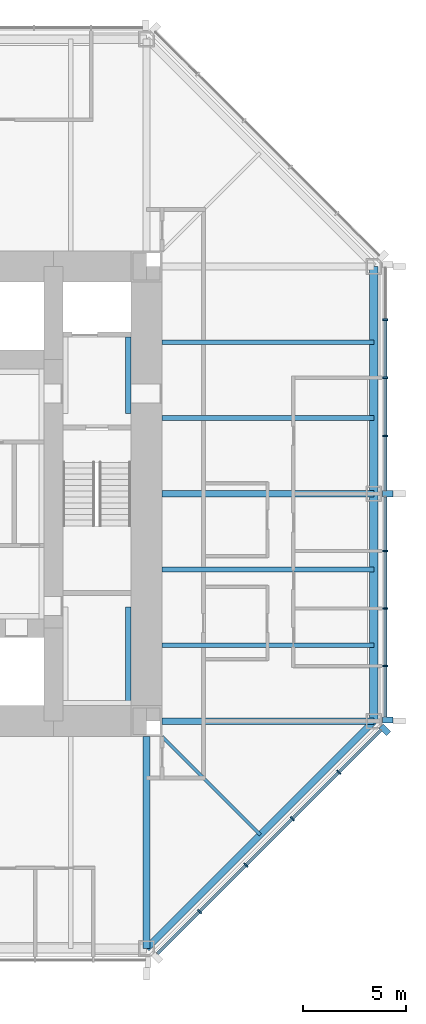
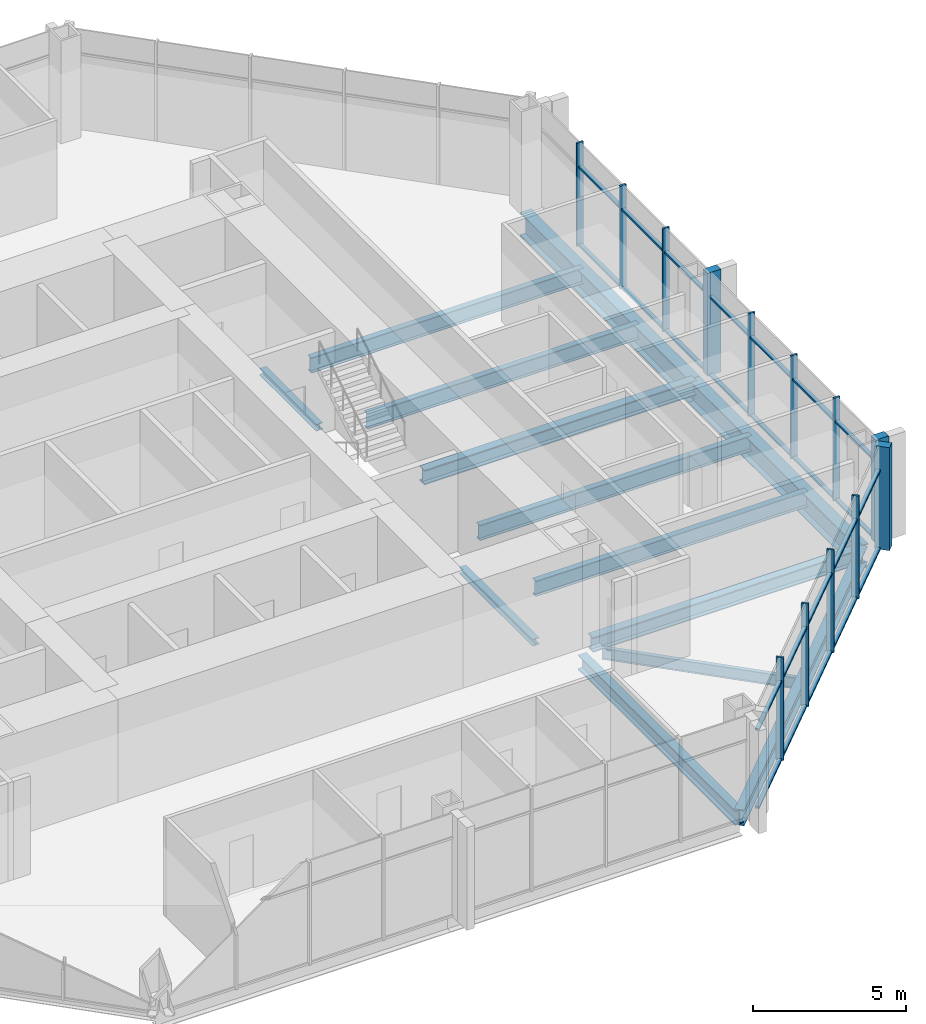
# One storey, part 4 of 12: 37 members, 13 beams, 2 elements without a shape of their own.
"""IFC4 building model written with IfcOpenShell, lengths in metres."""

import ifcopenshell
import ifcopenshell.guid

model = None  # the IFC model being written
_history = None  # IfcOwnerHistory: only IFC2X3 demands one
_inside = {}  # id of a spatial element -> (the spatial element, [elements in it])
_under = {}  # id of a project, library or spatial element -> (it, [spatial elements below it])
_declared = {}  # id of a project -> (the project, [libraries it declares])
_typed = {}  # id of a type object -> (the type object, [elements of that type])
_made_of = {}  # id of a material, layer set ... -> (it, [elements and type objects made of it])


def new_model(schema):
    """Start an empty IFC model of exactly this schema.

    Asked for "IFC4X3", IfcOpenShell would pick the latest addendum, in which some entities
    have other attributes; the version numbers below select the first issue.
    IFC2X3 requires an IfcOwnerHistory on every rooted entity: one is made here for all.
    """
    global model, _history
    if schema == "IFC4X3":
        model = ifcopenshell.file(schema_version=(4, 3, 0, 0))
    else:
        model = ifcopenshell.file(schema=schema)
    _inside.clear()
    _under.clear()
    _declared.clear()
    _typed.clear()
    _made_of.clear()
    _history = None
    if model.schema == "IFC2X3":
        org = make("IfcOrganization", Name="unknown")
        user = make(
            "IfcPersonAndOrganization",
            ThePerson=make("IfcPerson", FamilyName="unknown"),
            TheOrganization=org,
        )
        app = make(
            "IfcApplication",
            ApplicationDeveloper=org,
            Version="unknown",
            ApplicationFullName="unknown",
            ApplicationIdentifier="unknown",
        )
        _history = make(
            "IfcOwnerHistory",
            OwningUser=user,
            OwningApplication=app,
            ChangeAction="ADDED",
            CreationDate=0,
        )
    return model


def make(cls, **values):
    """One entity of the class cls with the attributes given. An attribute that is None is left unset."""
    return model.create_entity(
        cls, **{name: value for name, value in values.items() if value is not None}
    )


def rooted(cls, **values):
    """An entity with a GlobalId (a new one), such as an element, a storey or a relation."""
    return make(cls, GlobalId=ifcopenshell.guid.new(), OwnerHistory=_history, **values)


def si_unit(unit_type, name, prefix=None):
    """IfcSIUnit, for example si_unit("LENGTHUNIT", "METRE", prefix="MILLI")."""
    return make("IfcSIUnit", UnitType=unit_type, Prefix=prefix, Name=name)


def assignment(units):
    """IfcUnitAssignment: the units of a project."""
    return None if units is None else make("IfcUnitAssignment", Units=units)


def point(xyz):
    """IfcCartesianPoint."""
    return None if xyz is None else make("IfcCartesianPoint", Coordinates=xyz)


def direction(xyz):
    """IfcDirection."""
    return None if xyz is None else make("IfcDirection", DirectionRatios=xyz)


def frame(location, z_axis=None, x_axis=None):
    """IfcAxis2Placement3D, a coordinate frame: its origin and axes. An axis left out is left unset."""
    return make(
        "IfcAxis2Placement3D",
        Location=point(location),
        Axis=direction(z_axis),
        RefDirection=direction(x_axis),
    )


def frame_2d(location, x_axis=None):
    """IfcAxis2Placement2D, a coordinate frame in the plane: its origin and x axis."""
    return make(
        "IfcAxis2Placement2D", Location=point(location), RefDirection=direction(x_axis)
    )


def origin():
    """The frame at (0, 0, 0) with its axes left unset."""
    return frame((0.0, 0.0, 0.0))


def origin_2d():
    """The frame at (0, 0) in the plane with its x axis left unset."""
    return frame_2d((0.0, 0.0))


def place(relative_to, where):
    """IfcLocalPlacement: puts the frame where relative to a parent placement (None: the world)."""
    return make(
        "IfcLocalPlacement", PlacementRelTo=relative_to, RelativePlacement=where
    )


def context(
    kind, dimensions, precision=None, world=None, true_north=None, identifier=None
):
    """IfcGeometricRepresentationContext, for example the 3D "Model" context."""
    return make(
        "IfcGeometricRepresentationContext",
        ContextIdentifier=identifier,
        ContextType=kind,
        CoordinateSpaceDimension=dimensions,
        Precision=precision,
        WorldCoordinateSystem=world,
        TrueNorth=true_north,
    )


def subcontext(parent, identifier, kind, view, scale=None):
    """IfcGeometricRepresentationSubContext, for example "Body" below "Model"."""
    return make(
        "IfcGeometricRepresentationSubContext",
        ContextIdentifier=identifier,
        ContextType=kind,
        ParentContext=parent,
        TargetScale=scale,
        TargetView=view,
    )


def project(units=None, contexts=None):
    """IfcProject with its units and contexts."""
    return rooted(
        "IfcProject",
        Name="project",
        RepresentationContexts=contexts,
        UnitsInContext=assignment(units),
    )


def spatial(cls, under=None, at=None, **own):
    """A site, building, storey or space (cls), placed at a placement, below another one or the project."""
    s = rooted(cls, ObjectPlacement=at, **own)
    if under is not None:
        _under.setdefault(under.id(), (under, []))[1].append(s)
    return s


def profile(cls, at=None, kind="AREA", **sizes):
    """A parametric profile (cls). Its sizes go by their IFC names, for example OverallWidth=200.0."""
    return make(cls, ProfileType=kind, Position=at, **sizes)


def rectangle(**sizes):
    """IfcRectangleProfileDef."""
    return profile("IfcRectangleProfileDef", **sizes)


def i_section(**sizes):
    """IfcIShapeProfileDef."""
    return profile("IfcIShapeProfileDef", **sizes)


def extrude(swept, where, along, depth):
    """IfcExtrudedAreaSolid: the profile swept, set in the frame where, extruded along a direction by depth."""
    return make(
        "IfcExtrudedAreaSolid",
        SweptArea=swept,
        Position=where,
        ExtrudedDirection=direction(along),
        Depth=depth,
    )


def shape(context_of_items, identifier, shape_type, items):
    """IfcShapeRepresentation: the items that make up one representation, for example the "Body"."""
    return make(
        "IfcShapeRepresentation",
        ContextOfItems=context_of_items,
        RepresentationIdentifier=identifier,
        RepresentationType=shape_type,
        Items=items,
    )


def material(Name=None, Category=None):
    """IfcMaterial."""
    return make("IfcMaterial", Name=Name, Category=Category)


def material_profile(
    of_material, cross_section, Name=None, Category=None, Priority=None
):
    """IfcMaterialProfile: a cross section and its material."""
    return make(
        "IfcMaterialProfile",
        Name=Name,
        Material=of_material,
        Profile=cross_section,
        Priority=Priority,
        Category=Category,
    )


def profile_set(profiles, Name=None, composite=None):
    """IfcMaterialProfileSet."""
    return make(
        "IfcMaterialProfileSet",
        Name=Name,
        MaterialProfiles=profiles,
        CompositeProfile=composite,
    )


def made_of(thing, what):
    """Note that an element or type object is made of a material, layer set ...; save() writes the relation."""
    if what is not None:
        _made_of.setdefault(what.id(), (what, []))[1].append(thing)
    return thing


def type_object(cls, material=None, **own):
    """A type object (cls), such as IfcWallType, which elements share."""
    return made_of(rooted(cls, **own), material)


def element(
    cls,
    number,
    at=None,
    inside=None,
    cuts=None,
    type_object=None,
    material=None,
    context=None,
    identifier="Body",
    shape_type=None,
    held_by="IfcProductDefinitionShape",
    body=None,
    shapes=None,
    **own,
):
    """One element of the class cls, such as IfcWall. Its Tag is "e" and its number.

    at: its placement. inside: the storey or other place that contains it. cuts: it is an
    opening in that element (IfcRelVoidsElement). A single representation is given by context,
    identifier, shape_type and body (its items); several are given by shapes. held_by: the class
    of the entity that holds the representations. save() writes the other relations.
    """
    e = rooted(cls, Tag="e%d" % number, ObjectPlacement=at, **own)
    if body is not None:
        shapes = [shape(context, identifier, shape_type, body)]
    if shapes is not None:
        e.Representation = make(held_by, Representations=shapes)
    if inside is not None:
        _inside.setdefault(inside.id(), (inside, []))[1].append(e)
    if cuts is not None:
        rooted(
            "IfcRelVoidsElement", RelatingBuildingElement=cuts, RelatedOpeningElement=e
        )
    if type_object is not None:
        _typed.setdefault(type_object.id(), (type_object, []))[1].append(e)
    return made_of(e, material)


def aggregate(whole, parts):
    """IfcRelAggregates: a whole, such as a stair, and the parts it consists of."""
    return rooted("IfcRelAggregates", RelatingObject=whole, RelatedObjects=parts)


def save(model, path):
    """Write the relations noted so far, then the file.

    IfcRelAggregates (storeys below a building ...), IfcRelContainedInSpatialStructure (elements
    in a storey), IfcRelDefinesByType, IfcRelAssociatesMaterial and IfcRelDeclares: one each for
    every whole, place, type object, material and project.
    """
    for whole, parts in _under.values():
        aggregate(whole, parts)
    for where, things in _inside.values():
        rooted(
            "IfcRelContainedInSpatialStructure",
            RelatedElements=things,
            RelatingStructure=where,
        )
    for kind, things in _typed.values():
        rooted("IfcRelDefinesByType", RelatedObjects=things, RelatingType=kind)
    for what, things in _made_of.values():
        rooted("IfcRelAssociatesMaterial", RelatedObjects=things, RelatingMaterial=what)
    for by, libraries in _declared.values():
        rooted("IfcRelDeclares", RelatingContext=by, RelatedDefinitions=libraries)
    model.write(path)


model = new_model("IFC4")

# Units and contexts
model_context = context("Model", 3, precision=1e-05, world=origin(), true_north=direction((0.0, 1.0)))
body_context = subcontext(model_context, "Body", "Model", "MODEL_VIEW")
ifc_project = project(units=[si_unit("LENGTHUNIT", "METRE"), si_unit("AREAUNIT", "SQUARE_METRE"), si_unit("VOLUMEUNIT", "CUBIC_METRE"), si_unit("PLANEANGLEUNIT", "RADIAN"), si_unit("MASSUNIT", "GRAM", prefix="KILO")], contexts=[model_context])

# Site, building, storey
site_placement = place(None, origin())
site = spatial("IfcSite", under=ifc_project, at=site_placement, CompositionType="ELEMENT")
building_placement = place(site_placement, origin())
building = spatial("IfcBuilding", under=site, at=building_placement, Name="Trevanion Tower", CompositionType="ELEMENT")
storey_placement = place(building_placement, frame((0.0, 0.0, 141.800048828125)))
storey = spatial("IfcBuildingStorey", under=building, at=storey_placement, Name="L33", CompositionType="ELEMENT", Elevation=141.800048828125)

# Beams
ifc_material_1 = material(Name="Steel ASTM A992 Grade 50", Category="steel")
ifc_material_profile_1 = material_profile(ifc_material_1, i_section(OverallWidth=0.22900390625, OverallDepth=0.612060546875, WebThickness=0.011962890625, FlangeThickness=0.01953125, at=origin_2d()), Name="W24X84")
ifc_profile_set_1 = profile_set([ifc_material_profile_1], Name="Steel ASTM A992 Grade 50")
beam_type_1 = type_object("IfcBeamType", Name="B7 W24X84", PredefinedType="BEAM", material=ifc_profile_set_1)
for number, where, z_axis, x_axis, name in (
    (1, (11.75, -7.333251953125, -0.49609375), (1.0, 0.0, 0.0), (0.0, 1.0, 0.0), "B7 L33"),
    (2, (11.75, -3.666748046875, -0.49609375), (1.0, 0.0, 0.0), (0.0, 1.0, 0.0), "B7 L33"),
    (3, (11.75, 3.666748046875, -0.49609375), (1.0, 0.0, 0.0), (0.0, 1.0, 0.0), "B7 L33"),
    (4, (11.75, 7.333251953125, -0.49609375), (1.0, 0.0, 0.0), (0.0, 1.0, 0.0), "B7 L33"),
):
    element("IfcBeam", number, at=place(storey_placement, frame(where, z_axis=z_axis, x_axis=x_axis)), inside=storey, type_object=beam_type_1, Name=name, PredefinedType="BEAM", context=body_context, shape_type="SweptSolid", body=[
        extrude(i_section(OverallWidth=0.22900390625, OverallDepth=0.612060546875, WebThickness=0.011962890625, FlangeThickness=0.01953125, at=origin_2d()), origin(), (0.0, 0.0, 1.0), 10.25),
    ])
ifc_material_2 = material(Name="Steel ASTM A992 Grade 50", Category="steel")
ifc_material_profile_2 = material_profile(ifc_material_2, i_section(OverallWidth=0.15234375, OverallDepth=0.449462890625, WebThickness=0.007568359375, FlangeThickness=0.0107421875, at=origin_2d()), Name="W18X35")
ifc_profile_set_2 = profile_set([ifc_material_profile_2], Name="Steel ASTM A992 Grade 50")
beam_type_2 = type_object("IfcBeamType", Name="B8 W18X35", PredefinedType="BEAM", material=ifc_profile_set_2)
beam_1_placement = place(storey_placement, frame((11.75, -11.75, -0.414794921875), z_axis=(0.707106781187, -0.707106781187, 0.0), x_axis=(0.707106781187, 0.707106781187, 0.0)))
element("IfcBeam", 5, at=beam_1_placement, inside=storey, type_object=beam_type_2, Name="B8 L33", PredefinedType="BEAM", context=body_context, shape_type="SweptSolid", body=[
    extrude(i_section(OverallWidth=0.15234375, OverallDepth=0.449462890625, WebThickness=0.007568359375, FlangeThickness=0.0107421875, at=origin_2d()), origin(), (0.0, 0.0, 1.0), 6.717529296875),
])

# Curtain wall, members
ifc_material_3 = material(Name="Aluminium and glass", Category="aluminium")
curtain_wall_type = type_object("IfcCurtainWallType", Name="CW2 curtain wall", PredefinedType="USERDEFINED", material=ifc_material_3)
curtain_wall_1_placement = place(storey_placement, origin())
curtain_wall_1 = element("IfcCurtainWall", 6, at=curtain_wall_1_placement, inside=storey, type_object=curtain_wall_type, Name="CW2 L33 0", ObjectType="UNITISED CURTAIN WALL", PredefinedType="USERDEFINED")
ifc_material_4 = material(Name="Aluminium extrusion, anodised bronze", Category="aluminium")
ifc_material_profile_3 = material_profile(ifc_material_4, rectangle(XDim=0.074951171875, YDim=0.25, at=origin_2d()), Name="CW2 mullion")
ifc_profile_set_3 = profile_set([ifc_material_profile_3], Name="Aluminium extrusion, anodised bronze")
member_type_1 = type_object("IfcMemberType", Name="CW2 mullion", PredefinedType="MULLION", material=ifc_profile_set_3)
member_1_placement = place(storey_placement, frame((22.550048828125, -8.323486328125, -0.18994140625), z_axis=(0.0, 0.0, 1.0), x_axis=(0.0, 1.0, 0.0)))
member_1 = element("IfcMember", 7, at=member_1_placement, type_object=member_type_1, Name="CW2 mullion 2", PredefinedType="MULLION", context=body_context, shape_type="SweptSolid", body=[
    extrude(rectangle(XDim=0.074951171875, YDim=0.25, at=origin_2d()), origin(), (0.0, 0.0, 1.0), 4.099853515625),
])
member_2_placement = place(storey_placement, frame((22.550048828125, -5.548828125, -0.18994140625), z_axis=(0.0, 0.0, 1.0), x_axis=(0.0, 1.0, 0.0)))
member_2 = element("IfcMember", 8, at=member_2_placement, type_object=member_type_1, Name="CW2 mullion 3", PredefinedType="MULLION", context=body_context, shape_type="SweptSolid", body=[
    extrude(rectangle(XDim=0.074951171875, YDim=0.25, at=origin_2d()), origin(), (0.0, 0.0, 1.0), 4.099853515625),
])
member_3_placement = place(storey_placement, frame((22.550048828125, -2.7744140625, -0.18994140625), z_axis=(0.0, 0.0, 1.0), x_axis=(0.0, 1.0, 0.0)))
member_3 = element("IfcMember", 9, at=member_3_placement, type_object=member_type_1, Name="CW2 mullion 4", PredefinedType="MULLION", context=body_context, shape_type="SweptSolid", body=[
    extrude(rectangle(XDim=0.074951171875, YDim=0.25, at=origin_2d()), origin(), (0.0, 0.0, 1.0), 4.099853515625),
])
member_4_placement = place(storey_placement, frame((22.550048828125, 2.806884765625, -0.18994140625), z_axis=(0.0, 0.0, 1.0), x_axis=(0.0, 1.0, 0.0)))
member_4 = element("IfcMember", 10, at=member_4_placement, type_object=member_type_1, Name="CW2 mullion 6", PredefinedType="MULLION", context=body_context, shape_type="SweptSolid", body=[
    extrude(rectangle(XDim=0.074951171875, YDim=0.25, at=origin_2d()), origin(), (0.0, 0.0, 1.0), 4.099853515625),
])
member_5_placement = place(storey_placement, frame((22.550048828125, 5.614013671875, -0.18994140625), z_axis=(0.0, 0.0, 1.0), x_axis=(0.0, 1.0, 0.0)))
member_5 = element("IfcMember", 11, at=member_5_placement, type_object=member_type_1, Name="CW2 mullion 7", PredefinedType="MULLION", context=body_context, shape_type="SweptSolid", body=[
    extrude(rectangle(XDim=0.074951171875, YDim=0.25, at=origin_2d()), origin(), (0.0, 0.0, 1.0), 4.099853515625),
])
member_6_placement = place(storey_placement, frame((22.550048828125, 8.4208984375, -0.18994140625), z_axis=(0.0, 0.0, 1.0), x_axis=(0.0, 1.0, 0.0)))
member_6 = element("IfcMember", 12, at=member_6_placement, type_object=member_type_1, Name="CW2 mullion 8", PredefinedType="MULLION", context=body_context, shape_type="SweptSolid", body=[
    extrude(rectangle(XDim=0.074951171875, YDim=0.25, at=origin_2d()), origin(), (0.0, 0.0, 1.0), 4.099853515625),
])

curtain_wall_2_placement = place(storey_placement, origin())
curtain_wall_2 = element("IfcCurtainWall", 13, at=curtain_wall_2_placement, inside=storey, type_object=curtain_wall_type, Name="CW2 L33 7", ObjectType="UNITISED CURTAIN WALL", PredefinedType="USERDEFINED")
member_7_placement = place(storey_placement, frame((13.56591796875, -20.2119140625, -0.18994140625), z_axis=(0.0, 0.0, 1.0), x_axis=(0.707106781187, 0.707106781187, 0.0)))
member_7 = element("IfcMember", 14, at=member_7_placement, type_object=member_type_1, Name="CW2 mullion 2", PredefinedType="MULLION", context=body_context, shape_type="SweptSolid", body=[
    extrude(rectangle(XDim=0.074951171875, YDim=0.25, at=origin_2d()), origin(), (0.0, 0.0, 1.0), 4.099853515625),
])
member_8_placement = place(storey_placement, frame((15.811767578125, -17.966064453125, -0.18994140625), z_axis=(0.0, 0.0, 1.0), x_axis=(0.707106781187, 0.707106781187, 0.0)))
member_8 = element("IfcMember", 15, at=member_8_placement, type_object=member_type_1, Name="CW2 mullion 3", PredefinedType="MULLION", context=body_context, shape_type="SweptSolid", body=[
    extrude(rectangle(XDim=0.074951171875, YDim=0.25, at=origin_2d()), origin(), (0.0, 0.0, 1.0), 4.099853515625),
])
member_9_placement = place(storey_placement, frame((18.057861328125, -15.719970703125, -0.18994140625), z_axis=(0.0, 0.0, 1.0), x_axis=(0.707106781187, 0.707106781187, 0.0)))
member_9 = element("IfcMember", 16, at=member_9_placement, type_object=member_type_1, Name="CW2 mullion 4", PredefinedType="MULLION", context=body_context, shape_type="SweptSolid", body=[
    extrude(rectangle(XDim=0.074951171875, YDim=0.25, at=origin_2d()), origin(), (0.0, 0.0, 1.0), 4.099853515625),
])
member_10_placement = place(storey_placement, frame((20.303955078125, -13.473876953125, -0.18994140625), z_axis=(0.0, 0.0, 1.0), x_axis=(0.707106781187, 0.707106781187, 0.0)))
member_10 = element("IfcMember", 17, at=member_10_placement, type_object=member_type_1, Name="CW2 mullion 5", PredefinedType="MULLION", context=body_context, shape_type="SweptSolid", body=[
    extrude(rectangle(XDim=0.074951171875, YDim=0.25, at=origin_2d()), origin(), (0.0, 0.0, 1.0), 4.099853515625),
])

# Member
ifc_material_5 = material(Name="Aluminium extrusion, anodised bronze", Category="aluminium")
ifc_material_profile_4 = material_profile(ifc_material_5, rectangle(XDim=0.300048828125, YDim=0.5, at=origin_2d()), Name="CW2 pier mullion")
ifc_profile_set_4 = profile_set([ifc_material_profile_4], Name="Aluminium extrusion, anodised bronze")
member_type_2 = type_object("IfcMemberType", Name="CW2 pier mullion", PredefinedType="MULLION", material=ifc_profile_set_4)
member_11_placement = place(storey_placement, frame((22.675048828125, -10.94775390625, -0.18994140625), z_axis=(0.0, 0.0, 1.0), x_axis=(0.0, 1.0, 0.0)))
member_11 = element("IfcMember", 18, at=member_11_placement, type_object=member_type_2, Name="CW2 pier mullion 1", PredefinedType="MULLION", context=body_context, shape_type="SweptSolid", body=[
    extrude(rectangle(XDim=0.300048828125, YDim=0.5, at=origin_2d()), origin(), (0.0, 0.0, 1.0), 4.099853515625),
])

member_12_placement = place(storey_placement, frame((22.675048828125, 0.0, -0.18994140625), z_axis=(0.0, 0.0, 1.0), x_axis=(0.0, 1.0, 0.0)))
member_12 = element("IfcMember", 19, at=member_12_placement, type_object=member_type_2, Name="CW2 pier mullion 5", PredefinedType="MULLION", context=body_context, shape_type="SweptSolid", body=[
    extrude(rectangle(XDim=0.300048828125, YDim=0.5, at=origin_2d()), origin(), (0.0, 0.0, 1.0), 4.099853515625),
])

member_13_placement = place(storey_placement, frame((22.5322265625, -11.42236328125, -0.18994140625), z_axis=(0.0, 0.0, 1.0), x_axis=(0.707106781187, 0.707106781187, 0.0)))
member_13 = element("IfcMember", 20, at=member_13_placement, type_object=member_type_2, Name="CW2 pier mullion 6", PredefinedType="MULLION", context=body_context, shape_type="SweptSolid", body=[
    extrude(rectangle(XDim=0.300048828125, YDim=0.5, at=origin_2d()), origin(), (0.0, 0.0, 1.0), 4.099853515625),
])

ifc_material_6 = material(Name="Aluminium extrusion, anodised bronze", Category="aluminium")
ifc_material_profile_5 = material_profile(ifc_material_6, rectangle(XDim=0.14990234375, YDim=0.074951171875, at=origin_2d()), Name="CW2 transom")
ifc_profile_set_5 = profile_set([ifc_material_profile_5], Name="Aluminium extrusion, anodised bronze")
member_type_3 = type_object("IfcMemberType", Name="CW2 transom", PredefinedType="USERDEFINED", material=ifc_profile_set_5)
member_14_placement = place(storey_placement, frame((22.550048828125, -10.7978515625, -0.152587890625), z_axis=(0.0, 1.0, 0.0), x_axis=(-1.0, 0.0, 0.0)))
member_14 = element("IfcMember", 21, at=member_14_placement, type_object=member_type_3, Name="CW2 transom 1.1", ObjectType="TRANSOM", PredefinedType="USERDEFINED", context=body_context, shape_type="SweptSolid", body=[
    extrude(rectangle(XDim=0.14990234375, YDim=0.074951171875, at=origin_2d()), origin(), (0.0, 0.0, 1.0), 2.43701171875),
])

member_15_placement = place(storey_placement, frame((22.550048828125, -10.7978515625, 2.9599609375), z_axis=(0.0, 1.0, 0.0), x_axis=(-1.0, 0.0, 0.0)))
member_15 = element("IfcMember", 22, at=member_15_placement, type_object=member_type_3, Name="CW2 transom 1.2", ObjectType="TRANSOM", PredefinedType="USERDEFINED", context=body_context, shape_type="SweptSolid", body=[
    extrude(rectangle(XDim=0.14990234375, YDim=0.074951171875, at=origin_2d()), origin(), (0.0, 0.0, 1.0), 2.43701171875),
])

member_16_placement = place(storey_placement, frame((22.550048828125, -8.285888671875, -0.152587890625), z_axis=(0.0, 1.0, 0.0), x_axis=(-1.0, 0.0, 0.0)))
member_16 = element("IfcMember", 23, at=member_16_placement, type_object=member_type_3, Name="CW2 transom 2.1", ObjectType="TRANSOM", PredefinedType="USERDEFINED", context=body_context, shape_type="SweptSolid", body=[
    extrude(rectangle(XDim=0.14990234375, YDim=0.074951171875, at=origin_2d()), origin(), (0.0, 0.0, 1.0), 2.699462890625),
])

member_17_placement = place(storey_placement, frame((22.550048828125, -8.285888671875, 2.9599609375), z_axis=(0.0, 1.0, 0.0), x_axis=(-1.0, 0.0, 0.0)))
member_17 = element("IfcMember", 24, at=member_17_placement, type_object=member_type_3, Name="CW2 transom 2.2", ObjectType="TRANSOM", PredefinedType="USERDEFINED", context=body_context, shape_type="SweptSolid", body=[
    extrude(rectangle(XDim=0.14990234375, YDim=0.074951171875, at=origin_2d()), origin(), (0.0, 0.0, 1.0), 2.699462890625),
])

member_18_placement = place(storey_placement, frame((22.550048828125, -5.511474609375, -0.152587890625), z_axis=(0.0, 1.0, 0.0), x_axis=(-1.0, 0.0, 0.0)))
member_18 = element("IfcMember", 25, at=member_18_placement, type_object=member_type_3, Name="CW2 transom 3.1", ObjectType="TRANSOM", PredefinedType="USERDEFINED", context=body_context, shape_type="SweptSolid", body=[
    extrude(rectangle(XDim=0.14990234375, YDim=0.074951171875, at=origin_2d()), origin(), (0.0, 0.0, 1.0), 2.699462890625),
])

member_19_placement = place(storey_placement, frame((22.550048828125, -5.511474609375, 2.9599609375), z_axis=(0.0, 1.0, 0.0), x_axis=(-1.0, 0.0, 0.0)))
member_19 = element("IfcMember", 26, at=member_19_placement, type_object=member_type_3, Name="CW2 transom 3.2", ObjectType="TRANSOM", PredefinedType="USERDEFINED", context=body_context, shape_type="SweptSolid", body=[
    extrude(rectangle(XDim=0.14990234375, YDim=0.074951171875, at=origin_2d()), origin(), (0.0, 0.0, 1.0), 2.699462890625),
])

member_20_placement = place(storey_placement, frame((22.550048828125, -2.737060546875, -0.152587890625), z_axis=(0.0, 1.0, 0.0), x_axis=(-1.0, 0.0, 0.0)))
member_20 = element("IfcMember", 27, at=member_20_placement, type_object=member_type_3, Name="CW2 transom 4.1", ObjectType="TRANSOM", PredefinedType="USERDEFINED", context=body_context, shape_type="SweptSolid", body=[
    extrude(rectangle(XDim=0.14990234375, YDim=0.074951171875, at=origin_2d()), origin(), (0.0, 0.0, 1.0), 2.587158203125),
])

member_21_placement = place(storey_placement, frame((22.550048828125, -2.737060546875, 2.9599609375), z_axis=(0.0, 1.0, 0.0), x_axis=(-1.0, 0.0, 0.0)))
member_21 = element("IfcMember", 28, at=member_21_placement, type_object=member_type_3, Name="CW2 transom 4.2", ObjectType="TRANSOM", PredefinedType="USERDEFINED", context=body_context, shape_type="SweptSolid", body=[
    extrude(rectangle(XDim=0.14990234375, YDim=0.074951171875, at=origin_2d()), origin(), (0.0, 0.0, 1.0), 2.587158203125),
])

member_22_placement = place(storey_placement, frame((22.550048828125, 0.14990234375, -0.152587890625), z_axis=(0.0, 1.0, 0.0), x_axis=(-1.0, 0.0, 0.0)))
member_22 = element("IfcMember", 29, at=member_22_placement, type_object=member_type_3, Name="CW2 transom 5.1", ObjectType="TRANSOM", PredefinedType="USERDEFINED", context=body_context, shape_type="SweptSolid", body=[
    extrude(rectangle(XDim=0.14990234375, YDim=0.074951171875, at=origin_2d()), origin(), (0.0, 0.0, 1.0), 2.619384765625),
])

member_23_placement = place(storey_placement, frame((22.550048828125, 0.14990234375, 2.9599609375), z_axis=(0.0, 1.0, 0.0), x_axis=(-1.0, 0.0, 0.0)))
member_23 = element("IfcMember", 30, at=member_23_placement, type_object=member_type_3, Name="CW2 transom 5.2", ObjectType="TRANSOM", PredefinedType="USERDEFINED", context=body_context, shape_type="SweptSolid", body=[
    extrude(rectangle(XDim=0.14990234375, YDim=0.074951171875, at=origin_2d()), origin(), (0.0, 0.0, 1.0), 2.619384765625),
])

member_24_placement = place(storey_placement, frame((22.550048828125, 2.844482421875, -0.152587890625), z_axis=(0.0, 1.0, 0.0), x_axis=(-1.0, 0.0, 0.0)))
member_24 = element("IfcMember", 31, at=member_24_placement, type_object=member_type_3, Name="CW2 transom 6.1", ObjectType="TRANSOM", PredefinedType="USERDEFINED", context=body_context, shape_type="SweptSolid", body=[
    extrude(rectangle(XDim=0.14990234375, YDim=0.074951171875, at=origin_2d()), origin(), (0.0, 0.0, 1.0), 2.73193359375),
])

member_25_placement = place(storey_placement, frame((22.550048828125, 2.844482421875, 2.9599609375), z_axis=(0.0, 1.0, 0.0), x_axis=(-1.0, 0.0, 0.0)))
member_25 = element("IfcMember", 32, at=member_25_placement, type_object=member_type_3, Name="CW2 transom 6.2", ObjectType="TRANSOM", PredefinedType="USERDEFINED", context=body_context, shape_type="SweptSolid", body=[
    extrude(rectangle(XDim=0.14990234375, YDim=0.074951171875, at=origin_2d()), origin(), (0.0, 0.0, 1.0), 2.73193359375),
])

member_26_placement = place(storey_placement, frame((22.550048828125, 5.6513671875, -0.152587890625), z_axis=(0.0, 1.0, 0.0), x_axis=(-1.0, 0.0, 0.0)))
member_26 = element("IfcMember", 33, at=member_26_placement, type_object=member_type_3, Name="CW2 transom 7.1", ObjectType="TRANSOM", PredefinedType="USERDEFINED", context=body_context, shape_type="SweptSolid", body=[
    extrude(rectangle(XDim=0.14990234375, YDim=0.074951171875, at=origin_2d()), origin(), (0.0, 0.0, 1.0), 2.73193359375),
])

member_27_placement = place(storey_placement, frame((22.550048828125, 5.6513671875, 2.9599609375), z_axis=(0.0, 1.0, 0.0), x_axis=(-1.0, 0.0, 0.0)))
member_27 = element("IfcMember", 34, at=member_27_placement, type_object=member_type_3, Name="CW2 transom 7.2", ObjectType="TRANSOM", PredefinedType="USERDEFINED", context=body_context, shape_type="SweptSolid", body=[
    extrude(rectangle(XDim=0.14990234375, YDim=0.074951171875, at=origin_2d()), origin(), (0.0, 0.0, 1.0), 2.73193359375),
])

aggregate(curtain_wall_1, [member_11, member_1, member_2, member_3, member_12, member_4, member_5, member_6, member_14, member_15, member_16, member_17, member_18, member_19, member_20, member_21, member_22, member_23, member_24, member_25, member_26, member_27])

member_28_placement = place(storey_placement, frame((11.531982421875, -22.245849609375, -0.152587890625), z_axis=(0.707106781187, 0.707106781187, 0.0), x_axis=(-0.707106781187, 0.707106781187, 0.0)))
member_28 = element("IfcMember", 35, at=member_28_placement, type_object=member_type_3, Name="CW2 transom 1.1", ObjectType="TRANSOM", PredefinedType="USERDEFINED", context=body_context, shape_type="SweptSolid", body=[
    extrude(rectangle(XDim=0.14990234375, YDim=0.074951171875, at=origin_2d()), origin(), (0.0, 0.0, 1.0), 2.8388671875),
])

member_29_placement = place(storey_placement, frame((11.531982421875, -22.245849609375, 2.9599609375), z_axis=(0.707106781187, 0.707106781187, 0.0), x_axis=(-0.707106781187, 0.707106781187, 0.0)))
member_29 = element("IfcMember", 36, at=member_29_placement, type_object=member_type_3, Name="CW2 transom 1.2", ObjectType="TRANSOM", PredefinedType="USERDEFINED", context=body_context, shape_type="SweptSolid", body=[
    extrude(rectangle(XDim=0.14990234375, YDim=0.074951171875, at=origin_2d()), origin(), (0.0, 0.0, 1.0), 2.8388671875),
])

member_30_placement = place(storey_placement, frame((13.59228515625, -20.185546875, -0.152587890625), z_axis=(0.707106781187, 0.707106781187, 0.0), x_axis=(-0.707106781187, 0.707106781187, 0.0)))
member_30 = element("IfcMember", 37, at=member_30_placement, type_object=member_type_3, Name="CW2 transom 2.1", ObjectType="TRANSOM", PredefinedType="USERDEFINED", context=body_context, shape_type="SweptSolid", body=[
    extrude(rectangle(XDim=0.14990234375, YDim=0.074951171875, at=origin_2d()), origin(), (0.0, 0.0, 1.0), 3.1015625),
])

member_31_placement = place(storey_placement, frame((13.59228515625, -20.185546875, 2.9599609375), z_axis=(0.707106781187, 0.707106781187, 0.0), x_axis=(-0.707106781187, 0.707106781187, 0.0)))
member_31 = element("IfcMember", 38, at=member_31_placement, type_object=member_type_3, Name="CW2 transom 2.2", ObjectType="TRANSOM", PredefinedType="USERDEFINED", context=body_context, shape_type="SweptSolid", body=[
    extrude(rectangle(XDim=0.14990234375, YDim=0.074951171875, at=origin_2d()), origin(), (0.0, 0.0, 1.0), 3.1015625),
])

member_32_placement = place(storey_placement, frame((15.83837890625, -17.939453125, -0.152587890625), z_axis=(0.707106781187, 0.707106781187, 0.0), x_axis=(-0.707106781187, 0.707106781187, 0.0)))
member_32 = element("IfcMember", 39, at=member_32_placement, type_object=member_type_3, Name="CW2 transom 3.1", ObjectType="TRANSOM", PredefinedType="USERDEFINED", context=body_context, shape_type="SweptSolid", body=[
    extrude(rectangle(XDim=0.14990234375, YDim=0.074951171875, at=origin_2d()), origin(), (0.0, 0.0, 1.0), 3.1015625),
])

member_33_placement = place(storey_placement, frame((15.83837890625, -17.939453125, 2.9599609375), z_axis=(0.707106781187, 0.707106781187, 0.0), x_axis=(-0.707106781187, 0.707106781187, 0.0)))
member_33 = element("IfcMember", 40, at=member_33_placement, type_object=member_type_3, Name="CW2 transom 3.2", ObjectType="TRANSOM", PredefinedType="USERDEFINED", context=body_context, shape_type="SweptSolid", body=[
    extrude(rectangle(XDim=0.14990234375, YDim=0.074951171875, at=origin_2d()), origin(), (0.0, 0.0, 1.0), 3.1015625),
])

member_34_placement = place(storey_placement, frame((18.08447265625, -15.693359375, -0.152587890625), z_axis=(0.707106781187, 0.707106781187, 0.0), x_axis=(-0.707106781187, 0.707106781187, 0.0)))
member_34 = element("IfcMember", 41, at=member_34_placement, type_object=member_type_3, Name="CW2 transom 4.1", ObjectType="TRANSOM", PredefinedType="USERDEFINED", context=body_context, shape_type="SweptSolid", body=[
    extrude(rectangle(XDim=0.14990234375, YDim=0.074951171875, at=origin_2d()), origin(), (0.0, 0.0, 1.0), 3.10107421875),
])

member_35_placement = place(storey_placement, frame((18.08447265625, -15.693359375, 2.9599609375), z_axis=(0.707106781187, 0.707106781187, 0.0), x_axis=(-0.707106781187, 0.707106781187, 0.0)))
member_35 = element("IfcMember", 42, at=member_35_placement, type_object=member_type_3, Name="CW2 transom 4.2", ObjectType="TRANSOM", PredefinedType="USERDEFINED", context=body_context, shape_type="SweptSolid", body=[
    extrude(rectangle(XDim=0.14990234375, YDim=0.074951171875, at=origin_2d()), origin(), (0.0, 0.0, 1.0), 3.10107421875),
])

member_36_placement = place(storey_placement, frame((20.33056640625, -13.447509765625, -0.152587890625), z_axis=(0.707063781595, 0.707149778163, 0.0), x_axis=(-0.707149778163, 0.707063781595, 0.0)))
member_36 = element("IfcMember", 43, at=member_36_placement, type_object=member_type_3, Name="CW2 transom 5.1", ObjectType="TRANSOM", PredefinedType="USERDEFINED", context=body_context, shape_type="SweptSolid", body=[
    extrude(rectangle(XDim=0.14990234375, YDim=0.074951171875, at=origin_2d()), origin(), (0.0, 0.0, 1.0), 2.8388671875),
])

member_37_placement = place(storey_placement, frame((20.33056640625, -13.447509765625, 2.9599609375), z_axis=(0.707063781595, 0.707149778163, 0.0), x_axis=(-0.707149778163, 0.707063781595, 0.0)))
member_37 = element("IfcMember", 44, at=member_37_placement, type_object=member_type_3, Name="CW2 transom 5.2", ObjectType="TRANSOM", PredefinedType="USERDEFINED", context=body_context, shape_type="SweptSolid", body=[
    extrude(rectangle(XDim=0.14990234375, YDim=0.074951171875, at=origin_2d()), origin(), (0.0, 0.0, 1.0), 2.8388671875),
])

aggregate(curtain_wall_2, [member_7, member_8, member_9, member_10, member_13, member_28, member_29, member_30, member_31, member_32, member_33, member_34, member_35, member_36, member_37])

# Beams
ifc_material_7 = material(Name="Steel ASTM A992 Grade 50", Category="steel")
ifc_material_profile_6 = material_profile(ifc_material_7, i_section(OverallWidth=0.320068359375, OverallDepth=0.584228515625, WebThickness=0.023193359375, FlangeThickness=0.04150390625, at=origin_2d()), Name="W21X201")
ifc_profile_set_6 = profile_set([ifc_material_profile_6], Name="Steel ASTM A992 Grade 50")
beam_type_3 = type_object("IfcBeamType", Name="G4 W21X201", PredefinedType="BEAM", material=ifc_profile_set_6)
for number, where, z_axis, x_axis, name in (
    (45, (11.75, -11.0, -0.482177734375), (1.0, 0.0, 0.0), (0.0, 1.0, 0.0), "G4 L33"),
    (46, (11.75, 0.0, -0.482177734375), (1.0, 0.0, 0.0), (0.0, 1.0, 0.0), "G4 L33"),
    (47, (11.0, -11.75, -0.482177734375), (0.0, -1.0, 0.0), (1.0, 0.0, 0.0), "G4 L33"),
):
    element("IfcBeam", number, at=place(storey_placement, frame(where, z_axis=z_axis, x_axis=x_axis)), inside=storey, type_object=beam_type_3, Name=name, PredefinedType="BEAM", context=body_context, shape_type="SweptSolid", body=[
        extrude(i_section(OverallWidth=0.320068359375, OverallDepth=0.584228515625, WebThickness=0.023193359375, FlangeThickness=0.04150390625, at=origin_2d()), origin(), (0.0, 0.0, 1.0), 10.25),
    ])
ifc_material_8 = material(Name="Steel ASTM A992 Grade 50", Category="steel")
ifc_material_profile_7 = material_profile(ifc_material_8, i_section(OverallWidth=0.256591796875, OverallDepth=0.26416015625, WebThickness=0.011962890625, FlangeThickness=0.01953125, at=origin_2d()), Name="W10X68")
ifc_profile_set_7 = profile_set([ifc_material_profile_7], Name="Steel ASTM A992 Grade 50")
beam_type_4 = type_object("IfcBeamType", Name="LB1 W10X68", PredefinedType="BEAM", material=ifc_profile_set_7)
beam_2_placement = place(storey_placement, frame((10.12158203125, 3.875, -0.33203125), z_axis=(0.0, 1.0, 0.0), x_axis=(-1.0, 0.0, 0.0)))
element("IfcBeam", 48, at=beam_2_placement, inside=storey, type_object=beam_type_4, Name="LB1 L33", PredefinedType="BEAM", context=body_context, shape_type="SweptSolid", body=[
    extrude(i_section(OverallWidth=0.256591796875, OverallDepth=0.26416015625, WebThickness=0.011962890625, FlangeThickness=0.01953125, at=origin_2d()), origin(), (0.0, 0.0, 1.0), 3.699951171875),
])
beam_3_placement = place(storey_placement, frame((10.12158203125, -10.25, -0.33203125), z_axis=(0.0, 1.0, 0.0), x_axis=(-1.0, 0.0, 0.0)))
element("IfcBeam", 49, at=beam_3_placement, inside=storey, type_object=beam_type_4, Name="LB1 L33", PredefinedType="BEAM", context=body_context, shape_type="SweptSolid", body=[
    extrude(i_section(OverallWidth=0.256591796875, OverallDepth=0.26416015625, WebThickness=0.011962890625, FlangeThickness=0.01953125, at=origin_2d()), origin(), (0.0, 0.0, 1.0), 4.77490234375),
])
ifc_material_9 = material(Name="Steel ASTM A992 Grade 50", Category="steel")
ifc_material_profile_8 = material_profile(ifc_material_9, i_section(OverallWidth=0.419189453125, OverallDepth=0.927001953125, WebThickness=0.019287109375, FlangeThickness=0.031982421875, at=origin_2d()), Name="W36X231")
ifc_profile_set_8 = profile_set([ifc_material_profile_8], Name="Steel ASTM A992 Grade 50")
beam_type_5 = type_object("IfcBeamType", Name="SB4 W36X231", PredefinedType="SPANDREL", material=ifc_profile_set_8)
for number, where, z_axis, x_axis, name in (
    (50, (22.0, -11.0, -0.653564453125), (0.0, 1.0, 0.0), (-1.0, 0.0, 0.0), "SB4 L33"),
    (51, (22.0, 0.0, -0.653564453125), (0.0, 1.0, 0.0), (-1.0, 0.0, 0.0), "SB4 L33"),
):
    element("IfcBeam", number, at=place(storey_placement, frame(where, z_axis=z_axis, x_axis=x_axis)), inside=storey, type_object=beam_type_5, Name=name, PredefinedType="SPANDREL", context=body_context, shape_type="SweptSolid", body=[
        extrude(i_section(OverallWidth=0.419189453125, OverallDepth=0.927001953125, WebThickness=0.019287109375, FlangeThickness=0.031982421875, at=origin_2d()), origin(), (0.0, 0.0, 1.0), 11.0),
    ])
ifc_material_10 = material(Name="Steel ASTM A992 Grade 50", Category="steel")
ifc_material_profile_9 = material_profile(ifc_material_10, i_section(OverallWidth=0.32763671875, OverallDepth=0.62744140625, WebThickness=0.0166015625, FlangeThickness=0.027587890625, at=origin_2d()), Name="W24X146")
ifc_profile_set_9 = profile_set([ifc_material_profile_9], Name="Steel ASTM A992 Grade 50")
beam_type_6 = type_object("IfcBeamType", Name="SB5 W24X146", PredefinedType="SPANDREL", material=ifc_profile_set_9)
beam_4_placement = place(storey_placement, frame((11.0, -22.0, -0.503662109375), z_axis=(0.707106781187, 0.707106781187, 0.0), x_axis=(-0.707106781187, 0.707106781187, 0.0)))
element("IfcBeam", 52, at=beam_4_placement, inside=storey, type_object=beam_type_6, Name="SB5 L33", PredefinedType="SPANDREL", context=body_context, shape_type="SweptSolid", body=[
    extrude(i_section(OverallWidth=0.32763671875, OverallDepth=0.62744140625, WebThickness=0.0166015625, FlangeThickness=0.027587890625, at=origin_2d()), origin(), (0.0, 0.0, 1.0), 15.556396484375),
])

save(model, "model.ifc")
